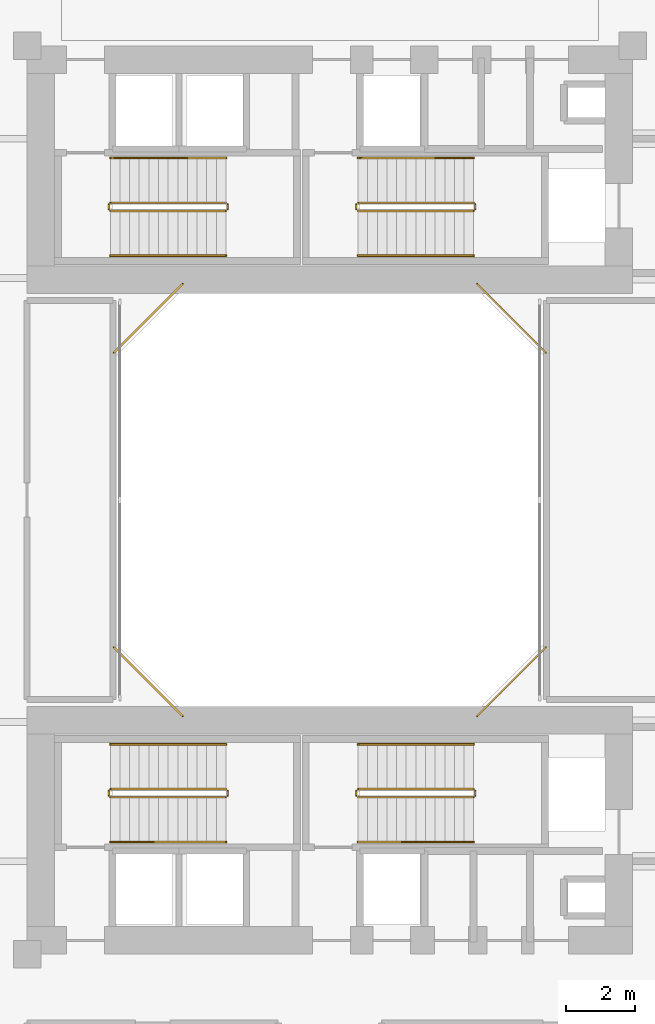
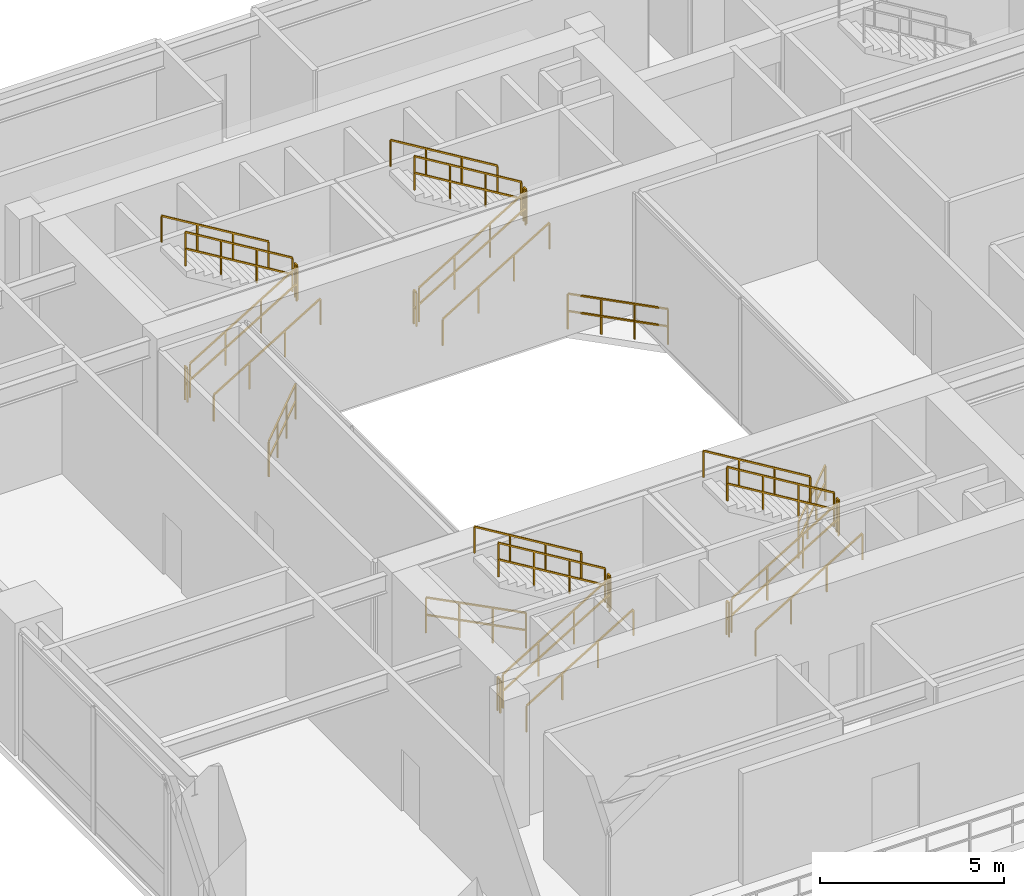
# One storey, part 16 of 19: 28 railings.
"""IFC4 building model written with IfcOpenShell, lengths in metres."""

from ifc_helpers import new_model, si_unit, direction, frame, origin, origin_2d, place, context, subcontext, project, spatial, rectangle, extrude, material, type_object, element, save


model = new_model("IFC4")

# Units and contexts
model_context = context("Model", 3, precision=1e-05, world=origin(), true_north=direction((0.0, 1.0)))
body_context = subcontext(model_context, "Body", "Model", "MODEL_VIEW")
ifc_project = project(units=[si_unit("LENGTHUNIT", "METRE"), si_unit("AREAUNIT", "SQUARE_METRE"), si_unit("VOLUMEUNIT", "CUBIC_METRE"), si_unit("PLANEANGLEUNIT", "RADIAN"), si_unit("MASSUNIT", "GRAM", prefix="KILO"), si_unit("THERMODYNAMICTEMPERATUREUNIT", "KELVIN"), si_unit("POWERUNIT", "WATT")], contexts=[model_context])

# Site, building, storey
site_placement = place(None, origin())
site = spatial("IfcSite", under=ifc_project, at=site_placement, CompositionType="ELEMENT")
building_placement = place(site_placement, origin())
building = spatial("IfcBuilding", under=site, at=building_placement, Name="Qiaomeng Ring Towers", CompositionType="ELEMENT")
storey_placement = place(building_placement, frame((0.0, 0.0, 9.39990234375)))
storey = spatial("IfcBuildingStorey", under=building, at=storey_placement, Name="L02", CompositionType="ELEMENT", Elevation=9.39990234375)

# Railings
ifc_material_1 = material(Name="Low-E pale-green laminated safety glass", Category="glass")
railing_type_1 = type_object("IfcRailingType", Name="ARC-RL-BAL1", PredefinedType="BALUSTRADE", material=ifc_material_1)
railing_1_placement = place(storey_placement, frame((23.280029296875, 16.719970703125, 0.0)))
element("IfcRailing", 1, at=railing_1_placement, inside=storey, type_object=railing_type_1, Name="L02 Balustrade ARC-BAL-WELL1-L02-1", PredefinedType="BALUSTRADE", context=body_context, shape_type="SweptSolid", body=[
    extrude(rectangle(XDim=0.048095703125, YDim=0.048095703125, at=origin_2d()), frame((0.0, 0.0, 1.17578125), z_axis=(0.707106781187, 0.707106781187, 0.0), x_axis=(-0.707106781187, 0.707106781187, 0.0)), (0.0, 0.0, 1.0), 2.828369140625),
    extrude(rectangle(XDim=0.048095703125, YDim=0.048095703125, at=origin_2d()), frame((0.0, 0.0, 0.60009765625), z_axis=(0.707106781187, 0.707106781187, 0.0), x_axis=(-0.707106781187, 0.707106781187, 0.0)), (0.0, 0.0, 1.0), 2.828369140625),
    extrude(rectangle(XDim=0.0419921875, YDim=0.0419921875, at=origin_2d()), origin(), (0.0, 0.0, 1.0), 1.15185546875),
    extrude(rectangle(XDim=0.0419921875, YDim=0.0419921875, at=origin_2d()), frame((0.666748046875, 0.666748046875, 0.0)), (0.0, 0.0, 1.0), 1.15185546875),
    extrude(rectangle(XDim=0.0419921875, YDim=0.0419921875, at=origin_2d()), frame((1.333251953125, 1.333251953125, 0.0)), (0.0, 0.0, 1.0), 1.15185546875),
    extrude(rectangle(XDim=0.0419921875, YDim=0.0419921875, at=origin_2d()), frame((2.0, 2.0, 0.0)), (0.0, 0.0, 1.0), 1.15185546875),
])
railing_2_placement = place(storey_placement, frame((25.280029296875, 27.280029296875, 0.0)))
element("IfcRailing", 2, at=railing_2_placement, inside=storey, type_object=railing_type_1, Name="L02 Balustrade ARC-BAL-WELL1-L02-2", PredefinedType="BALUSTRADE", context=body_context, shape_type="SweptSolid", body=[
    extrude(rectangle(XDim=0.048095703125, YDim=0.048095703125, at=origin_2d()), frame((0.0, 0.0, 1.17578125), z_axis=(-0.707106781187, 0.707106781187, 0.0), x_axis=(-0.707106781187, -0.707106781187, 0.0)), (0.0, 0.0, 1.0), 2.828369140625),
    extrude(rectangle(XDim=0.048095703125, YDim=0.048095703125, at=origin_2d()), frame((0.0, 0.0, 0.60009765625), z_axis=(-0.707106781187, 0.707106781187, 0.0), x_axis=(-0.707106781187, -0.707106781187, 0.0)), (0.0, 0.0, 1.0), 2.828369140625),
    extrude(rectangle(XDim=0.0419921875, YDim=0.0419921875, at=origin_2d()), origin(), (0.0, 0.0, 1.0), 1.15185546875),
    extrude(rectangle(XDim=0.0419921875, YDim=0.0419921875, at=origin_2d()), frame((-0.666748046875, 0.666748046875, 0.0)), (0.0, 0.0, 1.0), 1.15185546875),
    extrude(rectangle(XDim=0.0419921875, YDim=0.0419921875, at=origin_2d()), frame((-1.333251953125, 1.333251953125, 0.0)), (0.0, 0.0, 1.0), 1.15185546875),
    extrude(rectangle(XDim=0.0419921875, YDim=0.0419921875, at=origin_2d()), frame((-2.0, 2.0, 0.0)), (0.0, 0.0, 1.0), 1.15185546875),
])
railing_3_placement = place(storey_placement, frame((14.719970703125, 29.280029296875, 0.0)))
element("IfcRailing", 3, at=railing_3_placement, inside=storey, type_object=railing_type_1, Name="L02 Balustrade ARC-BAL-WELL1-L02-3", PredefinedType="BALUSTRADE", context=body_context, shape_type="SweptSolid", body=[
    extrude(rectangle(XDim=0.048095703125, YDim=0.048095703125, at=origin_2d()), frame((0.0, 0.0, 1.17578125), z_axis=(-0.707106781187, -0.707106781187, 0.0), x_axis=(0.707106781187, -0.707106781187, 0.0)), (0.0, 0.0, 1.0), 2.828369140625),
    extrude(rectangle(XDim=0.048095703125, YDim=0.048095703125, at=origin_2d()), frame((0.0, 0.0, 0.60009765625), z_axis=(-0.707106781187, -0.707106781187, 0.0), x_axis=(0.707106781187, -0.707106781187, 0.0)), (0.0, 0.0, 1.0), 2.828369140625),
    extrude(rectangle(XDim=0.0419921875, YDim=0.0419921875, at=origin_2d()), origin(), (0.0, 0.0, 1.0), 1.15185546875),
    extrude(rectangle(XDim=0.0419921875, YDim=0.0419921875, at=origin_2d()), frame((-0.666748046875, -0.666748046875, 0.0)), (0.0, 0.0, 1.0), 1.15185546875),
    extrude(rectangle(XDim=0.0419921875, YDim=0.0419921875, at=origin_2d()), frame((-1.333251953125, -1.333251953125, 0.0)), (0.0, 0.0, 1.0), 1.15185546875),
    extrude(rectangle(XDim=0.0419921875, YDim=0.0419921875, at=origin_2d()), frame((-2.0, -2.0, 0.0)), (0.0, 0.0, 1.0), 1.15185546875),
])
railing_4_placement = place(storey_placement, frame((12.719970703125, 18.719970703125, 0.0)))
element("IfcRailing", 4, at=railing_4_placement, inside=storey, type_object=railing_type_1, Name="L02 Balustrade ARC-BAL-WELL1-L02-4", PredefinedType="BALUSTRADE", context=body_context, shape_type="SweptSolid", body=[
    extrude(rectangle(XDim=0.048095703125, YDim=0.048095703125, at=origin_2d()), frame((0.0, 0.0, 1.17578125), z_axis=(0.707106781187, -0.707106781187, 0.0), x_axis=(0.707106781187, 0.707106781187, 0.0)), (0.0, 0.0, 1.0), 2.828369140625),
    extrude(rectangle(XDim=0.048095703125, YDim=0.048095703125, at=origin_2d()), frame((0.0, 0.0, 0.60009765625), z_axis=(0.707106781187, -0.707106781187, 0.0), x_axis=(0.707106781187, 0.707106781187, 0.0)), (0.0, 0.0, 1.0), 2.828369140625),
    extrude(rectangle(XDim=0.0419921875, YDim=0.0419921875, at=origin_2d()), origin(), (0.0, 0.0, 1.0), 1.15185546875),
    extrude(rectangle(XDim=0.0419921875, YDim=0.0419921875, at=origin_2d()), frame((0.666748046875, -0.666748046875, 0.0)), (0.0, 0.0, 1.0), 1.15185546875),
    extrude(rectangle(XDim=0.0419921875, YDim=0.0419921875, at=origin_2d()), frame((1.333251953125, -1.333251953125, 0.0)), (0.0, 0.0, 1.0), 1.15185546875),
    extrude(rectangle(XDim=0.0419921875, YDim=0.0419921875, at=origin_2d()), frame((2.0, -2.0, 0.0)), (0.0, 0.0, 1.0), 1.15185546875),
])
ifc_material_2 = material(Name="Galvanised steel", Category="steel")
railing_type_2 = type_object("IfcRailingType", Name="ARC-RL-GUARD", PredefinedType="GUARDRAIL", material=ifc_material_2)
railing_5_placement = place(storey_placement, frame((12.6201171875, 31.39990234375, 0.16943359375)))
element("IfcRailing", 5, at=railing_5_placement, inside=storey, type_object=railing_type_2, Name="L02 ST1 stair guard 1", PredefinedType="GUARDRAIL", context=body_context, shape_type="SweptSolid", body=[
    extrude(rectangle(XDim=0.048095703125, YDim=0.048095703125, at=origin_2d()), frame((0.0, 0.0, 1.1259765625), z_axis=(0.855820338506, 0.0, 0.51727318527), x_axis=(0.0, 1.0, 0.0)), (0.0, 0.0, 1.0), 3.92578125),
    extrude(rectangle(XDim=0.048095703125, YDim=0.048095703125, at=origin_2d()), frame((0.0, 0.0, 0.574951171875), z_axis=(0.855820338506, 0.0, 0.51727318527), x_axis=(0.0, 1.0, 0.0)), (0.0, 0.0, 1.0), 3.92578125),
    extrude(rectangle(XDim=0.0419921875, YDim=0.0419921875, at=origin_2d()), origin(), (0.0, 0.0, 1.0), 1.101806640625),
    extrude(rectangle(XDim=0.0419921875, YDim=0.0419921875, at=origin_2d()), frame((1.119873046875, 0.0, 0.677001953125)), (0.0, 0.0, 1.0), 1.101806640625),
    extrude(rectangle(XDim=0.0419921875, YDim=0.0419921875, at=origin_2d()), frame((2.239990234375, 0.0, 1.353759765625)), (0.0, 0.0, 1.0), 1.101806640625),
    extrude(rectangle(XDim=0.0419921875, YDim=0.0419921875, at=origin_2d()), frame((3.35986328125, 0.0, 2.03076171875)), (0.0, 0.0, 1.0), 1.101806640625),
])
railing_6_placement = place(storey_placement, frame((16.030029296875, 31.449951171875, 2.2001953125)))
element("IfcRailing", 6, at=railing_6_placement, inside=storey, type_object=railing_type_2, Name="L02 ST1 stair guard 2", PredefinedType="GUARDRAIL", context=body_context, shape_type="SweptSolid", body=[
    extrude(rectangle(XDim=0.048095703125, YDim=0.048095703125, at=origin_2d()), frame((0.0, 0.0, 1.1259765625), z_axis=(0.0, 1.0, 0.0), x_axis=(-1.0, 0.0, 0.0)), (0.0, 0.0, 1.0), 0.14013671875),
    extrude(rectangle(XDim=0.048095703125, YDim=0.048095703125, at=origin_2d()), frame((0.0, 0.0, 0.574951171875), z_axis=(0.0, 1.0, 0.0), x_axis=(-1.0, 0.0, 0.0)), (0.0, 0.0, 1.0), 0.14013671875),
    extrude(rectangle(XDim=0.0419921875, YDim=0.0419921875, at=origin_2d()), origin(), (0.0, 0.0, 1.0), 1.101806640625),
    extrude(rectangle(XDim=0.0419921875, YDim=0.0419921875, at=origin_2d()), frame((0.0, 0.14013671875, 0.0)), (0.0, 0.0, 1.0), 1.101806640625),
])
railing_7_placement = place(storey_placement, frame((15.97998046875, 31.639892578125, 2.369384765625)))
element("IfcRailing", 7, at=railing_7_placement, inside=storey, type_object=railing_type_2, Name="L02 ST1 stair guard 3", PredefinedType="GUARDRAIL", context=body_context, shape_type="SweptSolid", body=[
    extrude(rectangle(XDim=0.048095703125, YDim=0.048095703125, at=origin_2d()), frame((0.0, 0.0, 1.1259765625), z_axis=(-0.855820338506, 0.0, 0.51727318527), x_axis=(0.0, -1.0, 0.0)), (0.0, 0.0, 1.0), 3.92578125),
    extrude(rectangle(XDim=0.048095703125, YDim=0.048095703125, at=origin_2d()), frame((0.0, 0.0, 0.574951171875), z_axis=(-0.855820338506, 0.0, 0.51727318527), x_axis=(0.0, -1.0, 0.0)), (0.0, 0.0, 1.0), 3.92578125),
    extrude(rectangle(XDim=0.0419921875, YDim=0.0419921875, at=origin_2d()), origin(), (0.0, 0.0, 1.0), 1.101806640625),
    extrude(rectangle(XDim=0.0419921875, YDim=0.0419921875, at=origin_2d()), frame((-1.119873046875, 0.0, 0.677001953125)), (0.0, 0.0, 1.0), 1.101806640625),
    extrude(rectangle(XDim=0.0419921875, YDim=0.0419921875, at=origin_2d()), frame((-2.239990234375, 0.0, 1.353759765625)), (0.0, 0.0, 1.0), 1.101806640625),
    extrude(rectangle(XDim=0.0419921875, YDim=0.0419921875, at=origin_2d()), frame((-3.35986328125, 0.0, 2.03076171875)), (0.0, 0.0, 1.0), 1.101806640625),
])
railing_8_placement = place(storey_placement, frame((12.570068359375, 31.449951171875, 0.0)))
element("IfcRailing", 8, at=railing_8_placement, inside=storey, type_object=railing_type_2, Name="L02 ST1 stair guard 4", PredefinedType="GUARDRAIL", context=body_context, shape_type="SweptSolid", body=[
    extrude(rectangle(XDim=0.048095703125, YDim=0.048095703125, at=origin_2d()), frame((0.0, 0.0, 1.1259765625), z_axis=(0.0, 1.0, 0.0), x_axis=(-1.0, 0.0, 0.0)), (0.0, 0.0, 1.0), 0.14013671875),
    extrude(rectangle(XDim=0.048095703125, YDim=0.048095703125, at=origin_2d()), frame((0.0, 0.0, 0.574951171875), z_axis=(0.0, 1.0, 0.0), x_axis=(-1.0, 0.0, 0.0)), (0.0, 0.0, 1.0), 0.14013671875),
    extrude(rectangle(XDim=0.0419921875, YDim=0.0419921875, at=origin_2d()), origin(), (0.0, 0.0, 1.0), 1.101806640625),
    extrude(rectangle(XDim=0.0419921875, YDim=0.0419921875, at=origin_2d()), frame((0.0, 0.14013671875, 0.0)), (0.0, 0.0, 1.0), 1.101806640625),
])
railing_9_placement = place(storey_placement, frame((19.820068359375, 31.39990234375, 0.16943359375)))
element("IfcRailing", 9, at=railing_9_placement, inside=storey, type_object=railing_type_2, Name="L02 ST2 stair guard 1", PredefinedType="GUARDRAIL", context=body_context, shape_type="SweptSolid", body=[
    extrude(rectangle(XDim=0.048095703125, YDim=0.048095703125, at=origin_2d()), frame((0.0, 0.0, 1.1259765625), z_axis=(0.855820338506, 0.0, 0.51727318527), x_axis=(0.0, 1.0, 0.0)), (0.0, 0.0, 1.0), 3.92578125),
    extrude(rectangle(XDim=0.048095703125, YDim=0.048095703125, at=origin_2d()), frame((0.0, 0.0, 0.574951171875), z_axis=(0.855820338506, 0.0, 0.51727318527), x_axis=(0.0, 1.0, 0.0)), (0.0, 0.0, 1.0), 3.92578125),
    extrude(rectangle(XDim=0.0419921875, YDim=0.0419921875, at=origin_2d()), origin(), (0.0, 0.0, 1.0), 1.101806640625),
    extrude(rectangle(XDim=0.0419921875, YDim=0.0419921875, at=origin_2d()), frame((1.119873046875, 0.0, 0.677001953125)), (0.0, 0.0, 1.0), 1.101806640625),
    extrude(rectangle(XDim=0.0419921875, YDim=0.0419921875, at=origin_2d()), frame((2.239990234375, 0.0, 1.353759765625)), (0.0, 0.0, 1.0), 1.101806640625),
    extrude(rectangle(XDim=0.0419921875, YDim=0.0419921875, at=origin_2d()), frame((3.35986328125, 0.0, 2.03076171875)), (0.0, 0.0, 1.0), 1.101806640625),
])
railing_10_placement = place(storey_placement, frame((23.22998046875, 31.449951171875, 2.2001953125)))
element("IfcRailing", 10, at=railing_10_placement, inside=storey, type_object=railing_type_2, Name="L02 ST2 stair guard 2", PredefinedType="GUARDRAIL", context=body_context, shape_type="SweptSolid", body=[
    extrude(rectangle(XDim=0.048095703125, YDim=0.048095703125, at=origin_2d()), frame((0.0, 0.0, 1.1259765625), z_axis=(0.0, 1.0, 0.0), x_axis=(-1.0, 0.0, 0.0)), (0.0, 0.0, 1.0), 0.14013671875),
    extrude(rectangle(XDim=0.048095703125, YDim=0.048095703125, at=origin_2d()), frame((0.0, 0.0, 0.574951171875), z_axis=(0.0, 1.0, 0.0), x_axis=(-1.0, 0.0, 0.0)), (0.0, 0.0, 1.0), 0.14013671875),
    extrude(rectangle(XDim=0.0419921875, YDim=0.0419921875, at=origin_2d()), origin(), (0.0, 0.0, 1.0), 1.101806640625),
    extrude(rectangle(XDim=0.0419921875, YDim=0.0419921875, at=origin_2d()), frame((0.0, 0.14013671875, 0.0)), (0.0, 0.0, 1.0), 1.101806640625),
])
railing_11_placement = place(storey_placement, frame((23.179931640625, 31.639892578125, 2.369384765625)))
element("IfcRailing", 11, at=railing_11_placement, inside=storey, type_object=railing_type_2, Name="L02 ST2 stair guard 3", PredefinedType="GUARDRAIL", context=body_context, shape_type="SweptSolid", body=[
    extrude(rectangle(XDim=0.048095703125, YDim=0.048095703125, at=origin_2d()), frame((0.0, 0.0, 1.1259765625), z_axis=(-0.855820338506, 0.0, 0.51727318527), x_axis=(0.0, -1.0, 0.0)), (0.0, 0.0, 1.0), 3.92578125),
    extrude(rectangle(XDim=0.048095703125, YDim=0.048095703125, at=origin_2d()), frame((0.0, 0.0, 0.574951171875), z_axis=(-0.855820338506, 0.0, 0.51727318527), x_axis=(0.0, -1.0, 0.0)), (0.0, 0.0, 1.0), 3.92578125),
    extrude(rectangle(XDim=0.0419921875, YDim=0.0419921875, at=origin_2d()), origin(), (0.0, 0.0, 1.0), 1.101806640625),
    extrude(rectangle(XDim=0.0419921875, YDim=0.0419921875, at=origin_2d()), frame((-1.119873046875, 0.0, 0.677001953125)), (0.0, 0.0, 1.0), 1.101806640625),
    extrude(rectangle(XDim=0.0419921875, YDim=0.0419921875, at=origin_2d()), frame((-2.239990234375, 0.0, 1.353759765625)), (0.0, 0.0, 1.0), 1.101806640625),
    extrude(rectangle(XDim=0.0419921875, YDim=0.0419921875, at=origin_2d()), frame((-3.35986328125, 0.0, 2.03076171875)), (0.0, 0.0, 1.0), 1.101806640625),
])
railing_12_placement = place(storey_placement, frame((19.77001953125, 31.449951171875, 0.0)))
element("IfcRailing", 12, at=railing_12_placement, inside=storey, type_object=railing_type_2, Name="L02 ST2 stair guard 4", PredefinedType="GUARDRAIL", context=body_context, shape_type="SweptSolid", body=[
    extrude(rectangle(XDim=0.048095703125, YDim=0.048095703125, at=origin_2d()), frame((0.0, 0.0, 1.1259765625), z_axis=(0.0, 1.0, 0.0), x_axis=(-1.0, 0.0, 0.0)), (0.0, 0.0, 1.0), 0.14013671875),
    extrude(rectangle(XDim=0.048095703125, YDim=0.048095703125, at=origin_2d()), frame((0.0, 0.0, 0.574951171875), z_axis=(0.0, 1.0, 0.0), x_axis=(-1.0, 0.0, 0.0)), (0.0, 0.0, 1.0), 0.14013671875),
    extrude(rectangle(XDim=0.0419921875, YDim=0.0419921875, at=origin_2d()), origin(), (0.0, 0.0, 1.0), 1.101806640625),
    extrude(rectangle(XDim=0.0419921875, YDim=0.0419921875, at=origin_2d()), frame((0.0, 0.14013671875, 0.0)), (0.0, 0.0, 1.0), 1.101806640625),
])
railing_13_placement = place(storey_placement, frame((12.6201171875, 14.360107421875, 0.16943359375)))
element("IfcRailing", 13, at=railing_13_placement, inside=storey, type_object=railing_type_2, Name="L02 ST3 stair guard 1", PredefinedType="GUARDRAIL", context=body_context, shape_type="SweptSolid", body=[
    extrude(rectangle(XDim=0.048095703125, YDim=0.048095703125, at=origin_2d()), frame((0.0, 0.0, 1.1259765625), z_axis=(0.855820338506, 0.0, 0.51727318527), x_axis=(0.0, 1.0, 0.0)), (0.0, 0.0, 1.0), 3.92578125),
    extrude(rectangle(XDim=0.048095703125, YDim=0.048095703125, at=origin_2d()), frame((0.0, 0.0, 0.574951171875), z_axis=(0.855820338506, 0.0, 0.51727318527), x_axis=(0.0, 1.0, 0.0)), (0.0, 0.0, 1.0), 3.92578125),
    extrude(rectangle(XDim=0.0419921875, YDim=0.0419921875, at=origin_2d()), origin(), (0.0, 0.0, 1.0), 1.101806640625),
    extrude(rectangle(XDim=0.0419921875, YDim=0.0419921875, at=origin_2d()), frame((1.119873046875, 0.0, 0.677001953125)), (0.0, 0.0, 1.0), 1.101806640625),
    extrude(rectangle(XDim=0.0419921875, YDim=0.0419921875, at=origin_2d()), frame((2.239990234375, 0.0, 1.353759765625)), (0.0, 0.0, 1.0), 1.101806640625),
    extrude(rectangle(XDim=0.0419921875, YDim=0.0419921875, at=origin_2d()), frame((3.35986328125, 0.0, 2.03076171875)), (0.0, 0.0, 1.0), 1.101806640625),
])
railing_14_placement = place(storey_placement, frame((16.030029296875, 14.409912109375, 2.2001953125)))
element("IfcRailing", 14, at=railing_14_placement, inside=storey, type_object=railing_type_2, Name="L02 ST3 stair guard 2", PredefinedType="GUARDRAIL", context=body_context, shape_type="SweptSolid", body=[
    extrude(rectangle(XDim=0.048095703125, YDim=0.048095703125, at=origin_2d()), frame((0.0, 0.0, 1.1259765625), z_axis=(0.0, 1.0, 0.0), x_axis=(-1.0, 0.0, 0.0)), (0.0, 0.0, 1.0), 0.14013671875),
    extrude(rectangle(XDim=0.048095703125, YDim=0.048095703125, at=origin_2d()), frame((0.0, 0.0, 0.574951171875), z_axis=(0.0, 1.0, 0.0), x_axis=(-1.0, 0.0, 0.0)), (0.0, 0.0, 1.0), 0.14013671875),
    extrude(rectangle(XDim=0.0419921875, YDim=0.0419921875, at=origin_2d()), origin(), (0.0, 0.0, 1.0), 1.101806640625),
    extrude(rectangle(XDim=0.0419921875, YDim=0.0419921875, at=origin_2d()), frame((0.0, 0.14013671875, 0.0)), (0.0, 0.0, 1.0), 1.101806640625),
])
railing_15_placement = place(storey_placement, frame((15.97998046875, 14.60009765625, 2.369384765625)))
element("IfcRailing", 15, at=railing_15_placement, inside=storey, type_object=railing_type_2, Name="L02 ST3 stair guard 3", PredefinedType="GUARDRAIL", context=body_context, shape_type="SweptSolid", body=[
    extrude(rectangle(XDim=0.048095703125, YDim=0.048095703125, at=origin_2d()), frame((0.0, 0.0, 1.1259765625), z_axis=(-0.855820338506, 0.0, 0.51727318527), x_axis=(0.0, -1.0, 0.0)), (0.0, 0.0, 1.0), 3.92578125),
    extrude(rectangle(XDim=0.048095703125, YDim=0.048095703125, at=origin_2d()), frame((0.0, 0.0, 0.574951171875), z_axis=(-0.855820338506, 0.0, 0.51727318527), x_axis=(0.0, -1.0, 0.0)), (0.0, 0.0, 1.0), 3.92578125),
    extrude(rectangle(XDim=0.0419921875, YDim=0.0419921875, at=origin_2d()), origin(), (0.0, 0.0, 1.0), 1.101806640625),
    extrude(rectangle(XDim=0.0419921875, YDim=0.0419921875, at=origin_2d()), frame((-1.119873046875, 0.0, 0.677001953125)), (0.0, 0.0, 1.0), 1.101806640625),
    extrude(rectangle(XDim=0.0419921875, YDim=0.0419921875, at=origin_2d()), frame((-2.239990234375, 0.0, 1.353759765625)), (0.0, 0.0, 1.0), 1.101806640625),
    extrude(rectangle(XDim=0.0419921875, YDim=0.0419921875, at=origin_2d()), frame((-3.35986328125, 0.0, 2.03076171875)), (0.0, 0.0, 1.0), 1.101806640625),
])
railing_16_placement = place(storey_placement, frame((12.570068359375, 14.409912109375, 0.0)))
element("IfcRailing", 16, at=railing_16_placement, inside=storey, type_object=railing_type_2, Name="L02 ST3 stair guard 4", PredefinedType="GUARDRAIL", context=body_context, shape_type="SweptSolid", body=[
    extrude(rectangle(XDim=0.048095703125, YDim=0.048095703125, at=origin_2d()), frame((0.0, 0.0, 1.1259765625), z_axis=(0.0, 1.0, 0.0), x_axis=(-1.0, 0.0, 0.0)), (0.0, 0.0, 1.0), 0.14013671875),
    extrude(rectangle(XDim=0.048095703125, YDim=0.048095703125, at=origin_2d()), frame((0.0, 0.0, 0.574951171875), z_axis=(0.0, 1.0, 0.0), x_axis=(-1.0, 0.0, 0.0)), (0.0, 0.0, 1.0), 0.14013671875),
    extrude(rectangle(XDim=0.0419921875, YDim=0.0419921875, at=origin_2d()), origin(), (0.0, 0.0, 1.0), 1.101806640625),
    extrude(rectangle(XDim=0.0419921875, YDim=0.0419921875, at=origin_2d()), frame((0.0, 0.14013671875, 0.0)), (0.0, 0.0, 1.0), 1.101806640625),
])
railing_17_placement = place(storey_placement, frame((19.820068359375, 14.360107421875, 0.16943359375)))
element("IfcRailing", 17, at=railing_17_placement, inside=storey, type_object=railing_type_2, Name="L02 ST4 stair guard 1", PredefinedType="GUARDRAIL", context=body_context, shape_type="SweptSolid", body=[
    extrude(rectangle(XDim=0.048095703125, YDim=0.048095703125, at=origin_2d()), frame((0.0, 0.0, 1.1259765625), z_axis=(0.855820338506, 0.0, 0.51727318527), x_axis=(0.0, 1.0, 0.0)), (0.0, 0.0, 1.0), 3.92578125),
    extrude(rectangle(XDim=0.048095703125, YDim=0.048095703125, at=origin_2d()), frame((0.0, 0.0, 0.574951171875), z_axis=(0.855820338506, 0.0, 0.51727318527), x_axis=(0.0, 1.0, 0.0)), (0.0, 0.0, 1.0), 3.92578125),
    extrude(rectangle(XDim=0.0419921875, YDim=0.0419921875, at=origin_2d()), origin(), (0.0, 0.0, 1.0), 1.101806640625),
    extrude(rectangle(XDim=0.0419921875, YDim=0.0419921875, at=origin_2d()), frame((1.119873046875, 0.0, 0.677001953125)), (0.0, 0.0, 1.0), 1.101806640625),
    extrude(rectangle(XDim=0.0419921875, YDim=0.0419921875, at=origin_2d()), frame((2.239990234375, 0.0, 1.353759765625)), (0.0, 0.0, 1.0), 1.101806640625),
    extrude(rectangle(XDim=0.0419921875, YDim=0.0419921875, at=origin_2d()), frame((3.35986328125, 0.0, 2.03076171875)), (0.0, 0.0, 1.0), 1.101806640625),
])
railing_18_placement = place(storey_placement, frame((23.22998046875, 14.409912109375, 2.2001953125)))
element("IfcRailing", 18, at=railing_18_placement, inside=storey, type_object=railing_type_2, Name="L02 ST4 stair guard 2", PredefinedType="GUARDRAIL", context=body_context, shape_type="SweptSolid", body=[
    extrude(rectangle(XDim=0.048095703125, YDim=0.048095703125, at=origin_2d()), frame((0.0, 0.0, 1.1259765625), z_axis=(0.0, 1.0, 0.0), x_axis=(-1.0, 0.0, 0.0)), (0.0, 0.0, 1.0), 0.14013671875),
    extrude(rectangle(XDim=0.048095703125, YDim=0.048095703125, at=origin_2d()), frame((0.0, 0.0, 0.574951171875), z_axis=(0.0, 1.0, 0.0), x_axis=(-1.0, 0.0, 0.0)), (0.0, 0.0, 1.0), 0.14013671875),
    extrude(rectangle(XDim=0.0419921875, YDim=0.0419921875, at=origin_2d()), origin(), (0.0, 0.0, 1.0), 1.101806640625),
    extrude(rectangle(XDim=0.0419921875, YDim=0.0419921875, at=origin_2d()), frame((0.0, 0.14013671875, 0.0)), (0.0, 0.0, 1.0), 1.101806640625),
])
railing_19_placement = place(storey_placement, frame((23.179931640625, 14.60009765625, 2.369384765625)))
element("IfcRailing", 19, at=railing_19_placement, inside=storey, type_object=railing_type_2, Name="L02 ST4 stair guard 3", PredefinedType="GUARDRAIL", context=body_context, shape_type="SweptSolid", body=[
    extrude(rectangle(XDim=0.048095703125, YDim=0.048095703125, at=origin_2d()), frame((0.0, 0.0, 1.1259765625), z_axis=(-0.855820338506, 0.0, 0.51727318527), x_axis=(0.0, -1.0, 0.0)), (0.0, 0.0, 1.0), 3.92578125),
    extrude(rectangle(XDim=0.048095703125, YDim=0.048095703125, at=origin_2d()), frame((0.0, 0.0, 0.574951171875), z_axis=(-0.855820338506, 0.0, 0.51727318527), x_axis=(0.0, -1.0, 0.0)), (0.0, 0.0, 1.0), 3.92578125),
    extrude(rectangle(XDim=0.0419921875, YDim=0.0419921875, at=origin_2d()), origin(), (0.0, 0.0, 1.0), 1.101806640625),
    extrude(rectangle(XDim=0.0419921875, YDim=0.0419921875, at=origin_2d()), frame((-1.119873046875, 0.0, 0.677001953125)), (0.0, 0.0, 1.0), 1.101806640625),
    extrude(rectangle(XDim=0.0419921875, YDim=0.0419921875, at=origin_2d()), frame((-2.239990234375, 0.0, 1.353759765625)), (0.0, 0.0, 1.0), 1.101806640625),
    extrude(rectangle(XDim=0.0419921875, YDim=0.0419921875, at=origin_2d()), frame((-3.35986328125, 0.0, 2.03076171875)), (0.0, 0.0, 1.0), 1.101806640625),
])
railing_20_placement = place(storey_placement, frame((19.77001953125, 14.409912109375, 0.0)))
element("IfcRailing", 20, at=railing_20_placement, inside=storey, type_object=railing_type_2, Name="L02 ST4 stair guard 4", PredefinedType="GUARDRAIL", context=body_context, shape_type="SweptSolid", body=[
    extrude(rectangle(XDim=0.048095703125, YDim=0.048095703125, at=origin_2d()), frame((0.0, 0.0, 1.1259765625), z_axis=(0.0, 1.0, 0.0), x_axis=(-1.0, 0.0, 0.0)), (0.0, 0.0, 1.0), 0.14013671875),
    extrude(rectangle(XDim=0.048095703125, YDim=0.048095703125, at=origin_2d()), frame((0.0, 0.0, 0.574951171875), z_axis=(0.0, 1.0, 0.0), x_axis=(-1.0, 0.0, 0.0)), (0.0, 0.0, 1.0), 0.14013671875),
    extrude(rectangle(XDim=0.0419921875, YDim=0.0419921875, at=origin_2d()), origin(), (0.0, 0.0, 1.0), 1.101806640625),
    extrude(rectangle(XDim=0.0419921875, YDim=0.0419921875, at=origin_2d()), frame((0.0, 0.14013671875, 0.0)), (0.0, 0.0, 1.0), 1.101806640625),
])
ifc_material_3 = material(Name="Stainless steel 316", Category="steel")
railing_type_3 = type_object("IfcRailingType", Name="ARC-RL-HAND", PredefinedType="HANDRAIL", material=ifc_material_3)
railing_21_placement = place(storey_placement, frame((12.6201171875, 30.10009765625, 0.16943359375)))
element("IfcRailing", 21, at=railing_21_placement, inside=storey, type_object=railing_type_3, Name="L02 ST1 stair handrail 1", PredefinedType="HANDRAIL", context=body_context, shape_type="SweptSolid", body=[
    extrude(rectangle(XDim=0.048095703125, YDim=0.048095703125, at=origin_2d()), frame((0.0, 0.0, 0.8759765625), z_axis=(0.855820338506, 0.0, 0.51727318527), x_axis=(0.0, 1.0, 0.0)), (0.0, 0.0, 1.0), 3.92578125),
    extrude(rectangle(XDim=0.0419921875, YDim=0.0419921875, at=origin_2d()), origin(), (0.0, 0.0, 1.0), 0.851806640625),
    extrude(rectangle(XDim=0.0419921875, YDim=0.0419921875, at=origin_2d()), frame((1.119873046875, 0.0, 0.677001953125)), (0.0, 0.0, 1.0), 0.851806640625),
    extrude(rectangle(XDim=0.0419921875, YDim=0.0419921875, at=origin_2d()), frame((2.239990234375, 0.0, 1.353759765625)), (0.0, 0.0, 1.0), 0.851806640625),
    extrude(rectangle(XDim=0.0419921875, YDim=0.0419921875, at=origin_2d()), frame((3.35986328125, 0.0, 2.03076171875)), (0.0, 0.0, 1.0), 0.851806640625),
])
railing_22_placement = place(storey_placement, frame((15.97998046875, 32.93994140625, 2.369384765625)))
element("IfcRailing", 22, at=railing_22_placement, inside=storey, type_object=railing_type_3, Name="L02 ST1 stair handrail 2", PredefinedType="HANDRAIL", context=body_context, shape_type="SweptSolid", body=[
    extrude(rectangle(XDim=0.048095703125, YDim=0.048095703125, at=origin_2d()), frame((0.0, 0.0, 0.8759765625), z_axis=(-0.855820338506, 0.0, 0.51727318527), x_axis=(0.0, -1.0, 0.0)), (0.0, 0.0, 1.0), 3.92578125),
    extrude(rectangle(XDim=0.0419921875, YDim=0.0419921875, at=origin_2d()), origin(), (0.0, 0.0, 1.0), 0.851806640625),
    extrude(rectangle(XDim=0.0419921875, YDim=0.0419921875, at=origin_2d()), frame((-1.119873046875, 0.0, 0.677001953125)), (0.0, 0.0, 1.0), 0.851806640625),
    extrude(rectangle(XDim=0.0419921875, YDim=0.0419921875, at=origin_2d()), frame((-2.239990234375, 0.0, 1.353759765625)), (0.0, 0.0, 1.0), 0.851806640625),
    extrude(rectangle(XDim=0.0419921875, YDim=0.0419921875, at=origin_2d()), frame((-3.35986328125, 0.0, 2.03076171875)), (0.0, 0.0, 1.0), 0.851806640625),
])
railing_23_placement = place(storey_placement, frame((19.820068359375, 30.10009765625, 0.16943359375)))
element("IfcRailing", 23, at=railing_23_placement, inside=storey, type_object=railing_type_3, Name="L02 ST2 stair handrail 1", PredefinedType="HANDRAIL", context=body_context, shape_type="SweptSolid", body=[
    extrude(rectangle(XDim=0.048095703125, YDim=0.048095703125, at=origin_2d()), frame((0.0, 0.0, 0.8759765625), z_axis=(0.855820338506, 0.0, 0.51727318527), x_axis=(0.0, 1.0, 0.0)), (0.0, 0.0, 1.0), 3.92578125),
    extrude(rectangle(XDim=0.0419921875, YDim=0.0419921875, at=origin_2d()), origin(), (0.0, 0.0, 1.0), 0.851806640625),
    extrude(rectangle(XDim=0.0419921875, YDim=0.0419921875, at=origin_2d()), frame((1.119873046875, 0.0, 0.677001953125)), (0.0, 0.0, 1.0), 0.851806640625),
    extrude(rectangle(XDim=0.0419921875, YDim=0.0419921875, at=origin_2d()), frame((2.239990234375, 0.0, 1.353759765625)), (0.0, 0.0, 1.0), 0.851806640625),
    extrude(rectangle(XDim=0.0419921875, YDim=0.0419921875, at=origin_2d()), frame((3.35986328125, 0.0, 2.03076171875)), (0.0, 0.0, 1.0), 0.851806640625),
])
railing_24_placement = place(storey_placement, frame((23.179931640625, 32.93994140625, 2.369384765625)))
element("IfcRailing", 24, at=railing_24_placement, inside=storey, type_object=railing_type_3, Name="L02 ST2 stair handrail 2", PredefinedType="HANDRAIL", context=body_context, shape_type="SweptSolid", body=[
    extrude(rectangle(XDim=0.048095703125, YDim=0.048095703125, at=origin_2d()), frame((0.0, 0.0, 0.8759765625), z_axis=(-0.855820338506, 0.0, 0.51727318527), x_axis=(0.0, -1.0, 0.0)), (0.0, 0.0, 1.0), 3.92578125),
    extrude(rectangle(XDim=0.0419921875, YDim=0.0419921875, at=origin_2d()), origin(), (0.0, 0.0, 1.0), 0.851806640625),
    extrude(rectangle(XDim=0.0419921875, YDim=0.0419921875, at=origin_2d()), frame((-1.119873046875, 0.0, 0.677001953125)), (0.0, 0.0, 1.0), 0.851806640625),
    extrude(rectangle(XDim=0.0419921875, YDim=0.0419921875, at=origin_2d()), frame((-2.239990234375, 0.0, 1.353759765625)), (0.0, 0.0, 1.0), 0.851806640625),
    extrude(rectangle(XDim=0.0419921875, YDim=0.0419921875, at=origin_2d()), frame((-3.35986328125, 0.0, 2.03076171875)), (0.0, 0.0, 1.0), 0.851806640625),
])
railing_25_placement = place(storey_placement, frame((12.6201171875, 13.06005859375, 0.16943359375)))
element("IfcRailing", 25, at=railing_25_placement, inside=storey, type_object=railing_type_3, Name="L02 ST3 stair handrail 1", PredefinedType="HANDRAIL", context=body_context, shape_type="SweptSolid", body=[
    extrude(rectangle(XDim=0.048095703125, YDim=0.048095703125, at=origin_2d()), frame((0.0, 0.0, 0.8759765625), z_axis=(0.855820338506, 0.0, 0.51727318527), x_axis=(0.0, 1.0, 0.0)), (0.0, 0.0, 1.0), 3.92578125),
    extrude(rectangle(XDim=0.0419921875, YDim=0.0419921875, at=origin_2d()), origin(), (0.0, 0.0, 1.0), 0.851806640625),
    extrude(rectangle(XDim=0.0419921875, YDim=0.0419921875, at=origin_2d()), frame((1.119873046875, 0.0, 0.677001953125)), (0.0, 0.0, 1.0), 0.851806640625),
    extrude(rectangle(XDim=0.0419921875, YDim=0.0419921875, at=origin_2d()), frame((2.239990234375, 0.0, 1.353759765625)), (0.0, 0.0, 1.0), 0.851806640625),
    extrude(rectangle(XDim=0.0419921875, YDim=0.0419921875, at=origin_2d()), frame((3.35986328125, 0.0, 2.03076171875)), (0.0, 0.0, 1.0), 0.851806640625),
])
railing_26_placement = place(storey_placement, frame((15.97998046875, 15.89990234375, 2.369384765625)))
element("IfcRailing", 26, at=railing_26_placement, inside=storey, type_object=railing_type_3, Name="L02 ST3 stair handrail 2", PredefinedType="HANDRAIL", context=body_context, shape_type="SweptSolid", body=[
    extrude(rectangle(XDim=0.048095703125, YDim=0.048095703125, at=origin_2d()), frame((0.0, 0.0, 0.8759765625), z_axis=(-0.855820338506, 0.0, 0.51727318527), x_axis=(0.0, -1.0, 0.0)), (0.0, 0.0, 1.0), 3.92578125),
    extrude(rectangle(XDim=0.0419921875, YDim=0.0419921875, at=origin_2d()), origin(), (0.0, 0.0, 1.0), 0.851806640625),
    extrude(rectangle(XDim=0.0419921875, YDim=0.0419921875, at=origin_2d()), frame((-1.119873046875, 0.0, 0.677001953125)), (0.0, 0.0, 1.0), 0.851806640625),
    extrude(rectangle(XDim=0.0419921875, YDim=0.0419921875, at=origin_2d()), frame((-2.239990234375, 0.0, 1.353759765625)), (0.0, 0.0, 1.0), 0.851806640625),
    extrude(rectangle(XDim=0.0419921875, YDim=0.0419921875, at=origin_2d()), frame((-3.35986328125, 0.0, 2.03076171875)), (0.0, 0.0, 1.0), 0.851806640625),
])
railing_27_placement = place(storey_placement, frame((19.820068359375, 13.06005859375, 0.16943359375)))
element("IfcRailing", 27, at=railing_27_placement, inside=storey, type_object=railing_type_3, Name="L02 ST4 stair handrail 1", PredefinedType="HANDRAIL", context=body_context, shape_type="SweptSolid", body=[
    extrude(rectangle(XDim=0.048095703125, YDim=0.048095703125, at=origin_2d()), frame((0.0, 0.0, 0.8759765625), z_axis=(0.855820338506, 0.0, 0.51727318527), x_axis=(0.0, 1.0, 0.0)), (0.0, 0.0, 1.0), 3.92578125),
    extrude(rectangle(XDim=0.0419921875, YDim=0.0419921875, at=origin_2d()), origin(), (0.0, 0.0, 1.0), 0.851806640625),
    extrude(rectangle(XDim=0.0419921875, YDim=0.0419921875, at=origin_2d()), frame((1.119873046875, 0.0, 0.677001953125)), (0.0, 0.0, 1.0), 0.851806640625),
    extrude(rectangle(XDim=0.0419921875, YDim=0.0419921875, at=origin_2d()), frame((2.239990234375, 0.0, 1.353759765625)), (0.0, 0.0, 1.0), 0.851806640625),
    extrude(rectangle(XDim=0.0419921875, YDim=0.0419921875, at=origin_2d()), frame((3.35986328125, 0.0, 2.03076171875)), (0.0, 0.0, 1.0), 0.851806640625),
])
railing_28_placement = place(storey_placement, frame((23.179931640625, 15.89990234375, 2.369384765625)))
element("IfcRailing", 28, at=railing_28_placement, inside=storey, type_object=railing_type_3, Name="L02 ST4 stair handrail 2", PredefinedType="HANDRAIL", context=body_context, shape_type="SweptSolid", body=[
    extrude(rectangle(XDim=0.048095703125, YDim=0.048095703125, at=origin_2d()), frame((0.0, 0.0, 0.8759765625), z_axis=(-0.855820338506, 0.0, 0.51727318527), x_axis=(0.0, -1.0, 0.0)), (0.0, 0.0, 1.0), 3.92578125),
    extrude(rectangle(XDim=0.0419921875, YDim=0.0419921875, at=origin_2d()), origin(), (0.0, 0.0, 1.0), 0.851806640625),
    extrude(rectangle(XDim=0.0419921875, YDim=0.0419921875, at=origin_2d()), frame((-1.119873046875, 0.0, 0.677001953125)), (0.0, 0.0, 1.0), 0.851806640625),
    extrude(rectangle(XDim=0.0419921875, YDim=0.0419921875, at=origin_2d()), frame((-2.239990234375, 0.0, 1.353759765625)), (0.0, 0.0, 1.0), 0.851806640625),
    extrude(rectangle(XDim=0.0419921875, YDim=0.0419921875, at=origin_2d()), frame((-3.35986328125, 0.0, 2.03076171875)), (0.0, 0.0, 1.0), 0.851806640625),
])

save(model, "model.ifc")
